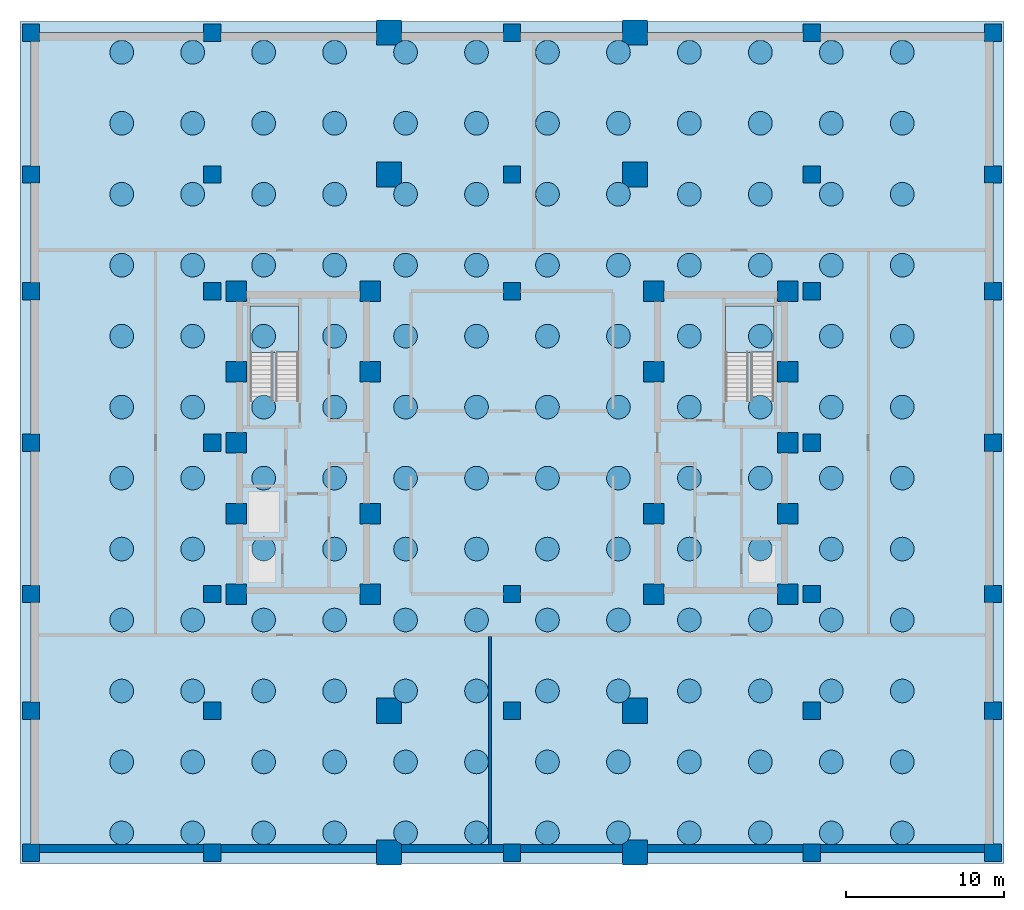
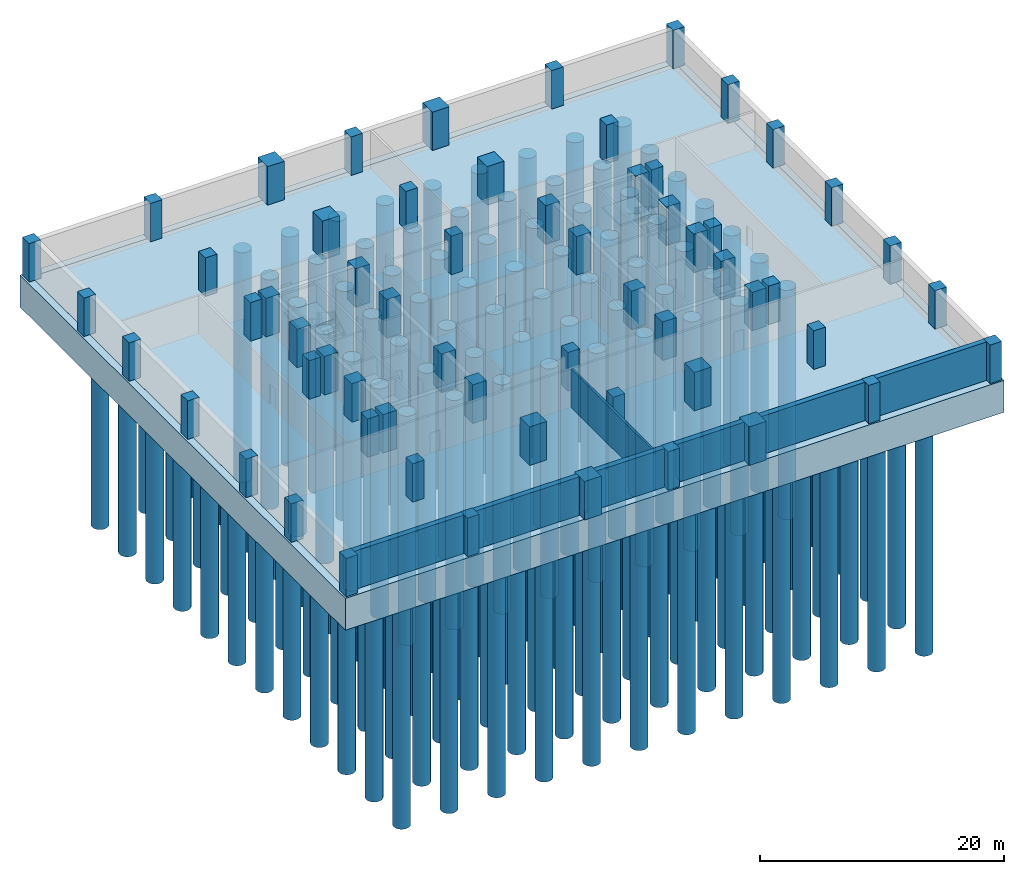
# One storey, part 1 of 6: 144 piles, 60 columns, 3 slabs, 2 walls, 1 footing, 2 elements without a shape of their own.
"""IFC4 building model written with IfcOpenShell, lengths in metres."""

from ifc_helpers import new_model, si_unit, direction, frame, frame_2d, origin, origin_2d, place, context, subcontext, project, spatial, polyline, rectangle, circle, outline, extrude, source, transform, mapped, material, layer, layer_set, material_profile, profile_set, type_object, type_shapes, element, aggregate, save


model = new_model("IFC4")

# Units and contexts
model_context = context("Model", 3, precision=1e-05, world=origin(), true_north=direction((0.0, 1.0)))
body_context = subcontext(model_context, "Body", "Model", "MODEL_VIEW")
ifc_project = project(units=[si_unit("LENGTHUNIT", "METRE"), si_unit("AREAUNIT", "SQUARE_METRE"), si_unit("VOLUMEUNIT", "CUBIC_METRE"), si_unit("PLANEANGLEUNIT", "RADIAN"), si_unit("MASSUNIT", "GRAM", prefix="KILO")], contexts=[model_context])

# Site, building, storey
site_placement = place(None, origin())
site = spatial("IfcSite", under=ifc_project, at=site_placement, CompositionType="ELEMENT")
building_placement = place(site_placement, origin())
building = spatial("IfcBuilding", under=site, at=building_placement, Name="Nuvemarco Arch Tower", CompositionType="ELEMENT")
storey_placement = place(building_placement, frame((0.0, 0.0, -8.39990234375)))
storey = spatial("IfcBuildingStorey", under=building, at=storey_placement, Name="B02", CompositionType="ELEMENT", Elevation=-8.39990234375)

# Piles
ifc_material_1 = material(Name="Concrete C50/60", Category="concrete")
ifc_material_profile_1 = material_profile(ifc_material_1, circle(Radius=0.75, at=origin_2d()), Name="PILE-D1500")
ifc_profile_set_1 = profile_set([ifc_material_profile_1], Name="Concrete C50/60")
pile_type = type_object("IfcPileType", Name="PL-BORED-1500", PredefinedType="BORED", material=ifc_profile_set_1)
for number, where, z_axis, x_axis, name in (
    (1, (-24.75, -24.75, -3.050048828125), (0.0, 0.0, -1.0), (1.0, 0.0, 0.0), "Bored pile P-1 #001"),
    (2, (-24.75, -20.25, -3.050048828125), (0.0, 0.0, -1.0), (1.0, 0.0, 0.0), "Bored pile P-1 #002"),
    (3, (-24.75, -15.75, -3.050048828125), (0.0, 0.0, -1.0), (1.0, 0.0, 0.0), "Bored pile P-1 #003"),
    (4, (-24.75, -11.25, -3.050048828125), (0.0, 0.0, -1.0), (1.0, 0.0, 0.0), "Bored pile P-1 #004"),
    (5, (-24.75, -6.75, -3.050048828125), (0.0, 0.0, -1.0), (1.0, 0.0, 0.0), "Bored pile P-1 #005"),
    (6, (-24.75, -2.25, -3.050048828125), (0.0, 0.0, -1.0), (1.0, 0.0, 0.0), "Bored pile P-1 #006"),
    (7, (-24.75, 2.25, -3.050048828125), (0.0, 0.0, -1.0), (1.0, 0.0, 0.0), "Bored pile P-1 #007"),
    (8, (-24.75, 6.75, -3.050048828125), (0.0, 0.0, -1.0), (1.0, 0.0, 0.0), "Bored pile P-1 #008"),
    (9, (-24.75, 11.25, -3.050048828125), (0.0, 0.0, -1.0), (1.0, 0.0, 0.0), "Bored pile P-1 #009"),
    (10, (-24.75, 15.75, -3.050048828125), (0.0, 0.0, -1.0), (1.0, 0.0, 0.0), "Bored pile P-1 #010"),
    (11, (-24.75, 20.25, -3.050048828125), (0.0, 0.0, -1.0), (1.0, 0.0, 0.0), "Bored pile P-1 #011"),
    (12, (-24.75, 24.75, -3.050048828125), (0.0, 0.0, -1.0), (1.0, 0.0, 0.0), "Bored pile P-1 #012"),
    (13, (-20.25, -24.75, -3.050048828125), (0.0, 0.0, -1.0), (1.0, 0.0, 0.0), "Bored pile P-1 #013"),
    (14, (-20.25, -20.25, -3.050048828125), (0.0, 0.0, -1.0), (1.0, 0.0, 0.0), "Bored pile P-1 #014"),
    (15, (-20.25, -15.75, -3.050048828125), (0.0, 0.0, -1.0), (1.0, 0.0, 0.0), "Bored pile P-1 #015"),
    (16, (-20.25, -11.25, -3.050048828125), (0.0, 0.0, -1.0), (1.0, 0.0, 0.0), "Bored pile P-1 #016"),
    (17, (-20.25, -6.75, -3.050048828125), (0.0, 0.0, -1.0), (1.0, 0.0, 0.0), "Bored pile P-1 #017"),
    (18, (-20.25, -2.25, -3.050048828125), (0.0, 0.0, -1.0), (1.0, 0.0, 0.0), "Bored pile P-1 #018"),
    (19, (-20.25, 2.25, -3.050048828125), (0.0, 0.0, -1.0), (1.0, 0.0, 0.0), "Bored pile P-1 #019"),
    (20, (-20.25, 6.75, -3.050048828125), (0.0, 0.0, -1.0), (1.0, 0.0, 0.0), "Bored pile P-1 #020"),
    (21, (-20.25, 11.25, -3.050048828125), (0.0, 0.0, -1.0), (1.0, 0.0, 0.0), "Bored pile P-1 #021"),
    (22, (-20.25, 15.75, -3.050048828125), (0.0, 0.0, -1.0), (1.0, 0.0, 0.0), "Bored pile P-1 #022"),
    (23, (-20.25, 20.25, -3.050048828125), (0.0, 0.0, -1.0), (1.0, 0.0, 0.0), "Bored pile P-1 #023"),
    (24, (-20.25, 24.75, -3.050048828125), (0.0, 0.0, -1.0), (1.0, 0.0, 0.0), "Bored pile P-1 #024"),
    (25, (-15.75, -24.75, -3.050048828125), (0.0, 0.0, -1.0), (1.0, 0.0, 0.0), "Bored pile P-1 #025"),
    (26, (-15.75, -20.25, -3.050048828125), (0.0, 0.0, -1.0), (1.0, 0.0, 0.0), "Bored pile P-1 #026"),
    (27, (-15.75, -15.75, -3.050048828125), (0.0, 0.0, -1.0), (1.0, 0.0, 0.0), "Bored pile P-1 #027"),
    (28, (-15.75, -11.25, -3.050048828125), (0.0, 0.0, -1.0), (1.0, 0.0, 0.0), "Bored pile P-1 #028"),
    (29, (-15.75, -6.75, -3.050048828125), (0.0, 0.0, -1.0), (1.0, 0.0, 0.0), "Bored pile P-1 #029"),
    (30, (-15.75, -2.25, -3.050048828125), (0.0, 0.0, -1.0), (1.0, 0.0, 0.0), "Bored pile P-1 #030"),
    (31, (-15.75, 2.25, -3.050048828125), (0.0, 0.0, -1.0), (1.0, 0.0, 0.0), "Bored pile P-1 #031"),
    (32, (-15.75, 6.75, -3.050048828125), (0.0, 0.0, -1.0), (1.0, 0.0, 0.0), "Bored pile P-1 #032"),
    (33, (-15.75, 11.25, -3.050048828125), (0.0, 0.0, -1.0), (1.0, 0.0, 0.0), "Bored pile P-1 #033"),
    (34, (-15.75, 15.75, -3.050048828125), (0.0, 0.0, -1.0), (1.0, 0.0, 0.0), "Bored pile P-1 #034"),
    (35, (-15.75, 20.25, -3.050048828125), (0.0, 0.0, -1.0), (1.0, 0.0, 0.0), "Bored pile P-1 #035"),
    (36, (-15.75, 24.75, -3.050048828125), (0.0, 0.0, -1.0), (1.0, 0.0, 0.0), "Bored pile P-1 #036"),
    (37, (-11.25, -24.75, -3.050048828125), (0.0, 0.0, -1.0), (1.0, 0.0, 0.0), "Bored pile P-1 #037"),
    (38, (-11.25, -20.25, -3.050048828125), (0.0, 0.0, -1.0), (1.0, 0.0, 0.0), "Bored pile P-1 #038"),
    (39, (-11.25, -15.75, -3.050048828125), (0.0, 0.0, -1.0), (1.0, 0.0, 0.0), "Bored pile P-1 #039"),
    (40, (-11.25, -11.25, -3.050048828125), (0.0, 0.0, -1.0), (1.0, 0.0, 0.0), "Bored pile P-1 #040"),
    (41, (-11.25, -6.75, -3.050048828125), (0.0, 0.0, -1.0), (1.0, 0.0, 0.0), "Bored pile P-1 #041"),
    (42, (-11.25, -2.25, -3.050048828125), (0.0, 0.0, -1.0), (1.0, 0.0, 0.0), "Bored pile P-1 #042"),
    (43, (-11.25, 2.25, -3.050048828125), (0.0, 0.0, -1.0), (1.0, 0.0, 0.0), "Bored pile P-1 #043"),
    (44, (-11.25, 6.75, -3.050048828125), (0.0, 0.0, -1.0), (1.0, 0.0, 0.0), "Bored pile P-1 #044"),
    (45, (-11.25, 11.25, -3.050048828125), (0.0, 0.0, -1.0), (1.0, 0.0, 0.0), "Bored pile P-1 #045"),
    (46, (-11.25, 15.75, -3.050048828125), (0.0, 0.0, -1.0), (1.0, 0.0, 0.0), "Bored pile P-1 #046"),
    (47, (-11.25, 20.25, -3.050048828125), (0.0, 0.0, -1.0), (1.0, 0.0, 0.0), "Bored pile P-1 #047"),
    (48, (-11.25, 24.75, -3.050048828125), (0.0, 0.0, -1.0), (1.0, 0.0, 0.0), "Bored pile P-1 #048"),
    (49, (-6.75, -24.75, -3.050048828125), (0.0, 0.0, -1.0), (1.0, 0.0, 0.0), "Bored pile P-1 #049"),
    (50, (-6.75, -20.25, -3.050048828125), (0.0, 0.0, -1.0), (1.0, 0.0, 0.0), "Bored pile P-1 #050"),
    (51, (-6.75, -15.75, -3.050048828125), (0.0, 0.0, -1.0), (1.0, 0.0, 0.0), "Bored pile P-1 #051"),
    (52, (-6.75, -11.25, -3.050048828125), (0.0, 0.0, -1.0), (1.0, 0.0, 0.0), "Bored pile P-1 #052"),
    (53, (-6.75, -6.75, -3.050048828125), (0.0, 0.0, -1.0), (1.0, 0.0, 0.0), "Bored pile P-1 #053"),
    (54, (-6.75, -2.25, -3.050048828125), (0.0, 0.0, -1.0), (1.0, 0.0, 0.0), "Bored pile P-1 #054"),
    (55, (-6.75, 2.25, -3.050048828125), (0.0, 0.0, -1.0), (1.0, 0.0, 0.0), "Bored pile P-1 #055"),
    (56, (-6.75, 6.75, -3.050048828125), (0.0, 0.0, -1.0), (1.0, 0.0, 0.0), "Bored pile P-1 #056"),
    (57, (-6.75, 11.25, -3.050048828125), (0.0, 0.0, -1.0), (1.0, 0.0, 0.0), "Bored pile P-1 #057"),
    (58, (-6.75, 15.75, -3.050048828125), (0.0, 0.0, -1.0), (1.0, 0.0, 0.0), "Bored pile P-1 #058"),
    (59, (-6.75, 20.25, -3.050048828125), (0.0, 0.0, -1.0), (1.0, 0.0, 0.0), "Bored pile P-1 #059"),
    (60, (-6.75, 24.75, -3.050048828125), (0.0, 0.0, -1.0), (1.0, 0.0, 0.0), "Bored pile P-1 #060"),
    (61, (-2.25, -24.75, -3.050048828125), (0.0, 0.0, -1.0), (1.0, 0.0, 0.0), "Bored pile P-1 #061"),
    (62, (-2.25, -20.25, -3.050048828125), (0.0, 0.0, -1.0), (1.0, 0.0, 0.0), "Bored pile P-1 #062"),
    (63, (-2.25, -15.75, -3.050048828125), (0.0, 0.0, -1.0), (1.0, 0.0, 0.0), "Bored pile P-1 #063"),
    (64, (-2.25, -11.25, -3.050048828125), (0.0, 0.0, -1.0), (1.0, 0.0, 0.0), "Bored pile P-1 #064"),
    (65, (-2.25, -6.75, -3.050048828125), (0.0, 0.0, -1.0), (1.0, 0.0, 0.0), "Bored pile P-1 #065"),
    (66, (-2.25, -2.25, -3.050048828125), (0.0, 0.0, -1.0), (1.0, 0.0, 0.0), "Bored pile P-1 #066"),
    (67, (-2.25, 2.25, -3.050048828125), (0.0, 0.0, -1.0), (1.0, 0.0, 0.0), "Bored pile P-1 #067"),
    (68, (-2.25, 6.75, -3.050048828125), (0.0, 0.0, -1.0), (1.0, 0.0, 0.0), "Bored pile P-1 #068"),
    (69, (-2.25, 11.25, -3.050048828125), (0.0, 0.0, -1.0), (1.0, 0.0, 0.0), "Bored pile P-1 #069"),
    (70, (-2.25, 15.75, -3.050048828125), (0.0, 0.0, -1.0), (1.0, 0.0, 0.0), "Bored pile P-1 #070"),
    (71, (-2.25, 20.25, -3.050048828125), (0.0, 0.0, -1.0), (1.0, 0.0, 0.0), "Bored pile P-1 #071"),
    (72, (-2.25, 24.75, -3.050048828125), (0.0, 0.0, -1.0), (1.0, 0.0, 0.0), "Bored pile P-1 #072"),
    (73, (2.25, -24.75, -3.050048828125), (0.0, 0.0, -1.0), (1.0, 0.0, 0.0), "Bored pile P-1 #073"),
    (74, (2.25, -20.25, -3.050048828125), (0.0, 0.0, -1.0), (1.0, 0.0, 0.0), "Bored pile P-1 #074"),
    (75, (2.25, -15.75, -3.050048828125), (0.0, 0.0, -1.0), (1.0, 0.0, 0.0), "Bored pile P-1 #075"),
    (76, (2.25, -11.25, -3.050048828125), (0.0, 0.0, -1.0), (1.0, 0.0, 0.0), "Bored pile P-1 #076"),
    (77, (2.25, -6.75, -3.050048828125), (0.0, 0.0, -1.0), (1.0, 0.0, 0.0), "Bored pile P-1 #077"),
    (78, (2.25, -2.25, -3.050048828125), (0.0, 0.0, -1.0), (1.0, 0.0, 0.0), "Bored pile P-1 #078"),
    (79, (2.25, 2.25, -3.050048828125), (0.0, 0.0, -1.0), (1.0, 0.0, 0.0), "Bored pile P-1 #079"),
    (80, (2.25, 6.75, -3.050048828125), (0.0, 0.0, -1.0), (1.0, 0.0, 0.0), "Bored pile P-1 #080"),
    (81, (2.25, 11.25, -3.050048828125), (0.0, 0.0, -1.0), (1.0, 0.0, 0.0), "Bored pile P-1 #081"),
    (82, (2.25, 15.75, -3.050048828125), (0.0, 0.0, -1.0), (1.0, 0.0, 0.0), "Bored pile P-1 #082"),
    (83, (2.25, 20.25, -3.050048828125), (0.0, 0.0, -1.0), (1.0, 0.0, 0.0), "Bored pile P-1 #083"),
    (84, (2.25, 24.75, -3.050048828125), (0.0, 0.0, -1.0), (1.0, 0.0, 0.0), "Bored pile P-1 #084"),
    (85, (6.75, -24.75, -3.050048828125), (0.0, 0.0, -1.0), (1.0, 0.0, 0.0), "Bored pile P-1 #085"),
    (86, (6.75, -20.25, -3.050048828125), (0.0, 0.0, -1.0), (1.0, 0.0, 0.0), "Bored pile P-1 #086"),
    (87, (6.75, -15.75, -3.050048828125), (0.0, 0.0, -1.0), (1.0, 0.0, 0.0), "Bored pile P-1 #087"),
    (88, (6.75, -11.25, -3.050048828125), (0.0, 0.0, -1.0), (1.0, 0.0, 0.0), "Bored pile P-1 #088"),
    (89, (6.75, -6.75, -3.050048828125), (0.0, 0.0, -1.0), (1.0, 0.0, 0.0), "Bored pile P-1 #089"),
    (90, (6.75, -2.25, -3.050048828125), (0.0, 0.0, -1.0), (1.0, 0.0, 0.0), "Bored pile P-1 #090"),
    (91, (6.75, 2.25, -3.050048828125), (0.0, 0.0, -1.0), (1.0, 0.0, 0.0), "Bored pile P-1 #091"),
    (92, (6.75, 6.75, -3.050048828125), (0.0, 0.0, -1.0), (1.0, 0.0, 0.0), "Bored pile P-1 #092"),
    (93, (6.75, 11.25, -3.050048828125), (0.0, 0.0, -1.0), (1.0, 0.0, 0.0), "Bored pile P-1 #093"),
    (94, (6.75, 15.75, -3.050048828125), (0.0, 0.0, -1.0), (1.0, 0.0, 0.0), "Bored pile P-1 #094"),
    (95, (6.75, 20.25, -3.050048828125), (0.0, 0.0, -1.0), (1.0, 0.0, 0.0), "Bored pile P-1 #095"),
    (96, (6.75, 24.75, -3.050048828125), (0.0, 0.0, -1.0), (1.0, 0.0, 0.0), "Bored pile P-1 #096"),
    (97, (11.25, -24.75, -3.050048828125), (0.0, 0.0, -1.0), (1.0, 0.0, 0.0), "Bored pile P-1 #097"),
    (98, (11.25, -20.25, -3.050048828125), (0.0, 0.0, -1.0), (1.0, 0.0, 0.0), "Bored pile P-1 #098"),
    (99, (11.25, -15.75, -3.050048828125), (0.0, 0.0, -1.0), (1.0, 0.0, 0.0), "Bored pile P-1 #099"),
    (100, (11.25, -11.25, -3.050048828125), (0.0, 0.0, -1.0), (1.0, 0.0, 0.0), "Bored pile P-1 #100"),
    (101, (11.25, -6.75, -3.050048828125), (0.0, 0.0, -1.0), (1.0, 0.0, 0.0), "Bored pile P-1 #101"),
    (102, (11.25, -2.25, -3.050048828125), (0.0, 0.0, -1.0), (1.0, 0.0, 0.0), "Bored pile P-1 #102"),
    (103, (11.25, 2.25, -3.050048828125), (0.0, 0.0, -1.0), (1.0, 0.0, 0.0), "Bored pile P-1 #103"),
    (104, (11.25, 6.75, -3.050048828125), (0.0, 0.0, -1.0), (1.0, 0.0, 0.0), "Bored pile P-1 #104"),
    (105, (11.25, 11.25, -3.050048828125), (0.0, 0.0, -1.0), (1.0, 0.0, 0.0), "Bored pile P-1 #105"),
    (106, (11.25, 15.75, -3.050048828125), (0.0, 0.0, -1.0), (1.0, 0.0, 0.0), "Bored pile P-1 #106"),
    (107, (11.25, 20.25, -3.050048828125), (0.0, 0.0, -1.0), (1.0, 0.0, 0.0), "Bored pile P-1 #107"),
    (108, (11.25, 24.75, -3.050048828125), (0.0, 0.0, -1.0), (1.0, 0.0, 0.0), "Bored pile P-1 #108"),
    (109, (15.75, -24.75, -3.050048828125), (0.0, 0.0, -1.0), (1.0, 0.0, 0.0), "Bored pile P-1 #109"),
    (110, (15.75, -20.25, -3.050048828125), (0.0, 0.0, -1.0), (1.0, 0.0, 0.0), "Bored pile P-1 #110"),
    (111, (15.75, -15.75, -3.050048828125), (0.0, 0.0, -1.0), (1.0, 0.0, 0.0), "Bored pile P-1 #111"),
    (112, (15.75, -11.25, -3.050048828125), (0.0, 0.0, -1.0), (1.0, 0.0, 0.0), "Bored pile P-1 #112"),
    (113, (15.75, -6.75, -3.050048828125), (0.0, 0.0, -1.0), (1.0, 0.0, 0.0), "Bored pile P-1 #113"),
    (114, (15.75, -2.25, -3.050048828125), (0.0, 0.0, -1.0), (1.0, 0.0, 0.0), "Bored pile P-1 #114"),
    (115, (15.75, 2.25, -3.050048828125), (0.0, 0.0, -1.0), (1.0, 0.0, 0.0), "Bored pile P-1 #115"),
    (116, (15.75, 6.75, -3.050048828125), (0.0, 0.0, -1.0), (1.0, 0.0, 0.0), "Bored pile P-1 #116"),
    (117, (15.75, 11.25, -3.050048828125), (0.0, 0.0, -1.0), (1.0, 0.0, 0.0), "Bored pile P-1 #117"),
    (118, (15.75, 15.75, -3.050048828125), (0.0, 0.0, -1.0), (1.0, 0.0, 0.0), "Bored pile P-1 #118"),
    (119, (15.75, 20.25, -3.050048828125), (0.0, 0.0, -1.0), (1.0, 0.0, 0.0), "Bored pile P-1 #119"),
    (120, (15.75, 24.75, -3.050048828125), (0.0, 0.0, -1.0), (1.0, 0.0, 0.0), "Bored pile P-1 #120"),
    (121, (20.25, -24.75, -3.050048828125), (0.0, 0.0, -1.0), (1.0, 0.0, 0.0), "Bored pile P-1 #121"),
    (122, (20.25, -20.25, -3.050048828125), (0.0, 0.0, -1.0), (1.0, 0.0, 0.0), "Bored pile P-1 #122"),
    (123, (20.25, -15.75, -3.050048828125), (0.0, 0.0, -1.0), (1.0, 0.0, 0.0), "Bored pile P-1 #123"),
    (124, (20.25, -11.25, -3.050048828125), (0.0, 0.0, -1.0), (1.0, 0.0, 0.0), "Bored pile P-1 #124"),
    (125, (20.25, -6.75, -3.050048828125), (0.0, 0.0, -1.0), (1.0, 0.0, 0.0), "Bored pile P-1 #125"),
    (126, (20.25, -2.25, -3.050048828125), (0.0, 0.0, -1.0), (1.0, 0.0, 0.0), "Bored pile P-1 #126"),
    (127, (20.25, 2.25, -3.050048828125), (0.0, 0.0, -1.0), (1.0, 0.0, 0.0), "Bored pile P-1 #127"),
    (128, (20.25, 6.75, -3.050048828125), (0.0, 0.0, -1.0), (1.0, 0.0, 0.0), "Bored pile P-1 #128"),
    (129, (20.25, 11.25, -3.050048828125), (0.0, 0.0, -1.0), (1.0, 0.0, 0.0), "Bored pile P-1 #129"),
    (130, (20.25, 15.75, -3.050048828125), (0.0, 0.0, -1.0), (1.0, 0.0, 0.0), "Bored pile P-1 #130"),
    (131, (20.25, 20.25, -3.050048828125), (0.0, 0.0, -1.0), (1.0, 0.0, 0.0), "Bored pile P-1 #131"),
    (132, (20.25, 24.75, -3.050048828125), (0.0, 0.0, -1.0), (1.0, 0.0, 0.0), "Bored pile P-1 #132"),
    (133, (24.75, -24.75, -3.050048828125), (0.0, 0.0, -1.0), (1.0, 0.0, 0.0), "Bored pile P-1 #133"),
    (134, (24.75, -20.25, -3.050048828125), (0.0, 0.0, -1.0), (1.0, 0.0, 0.0), "Bored pile P-1 #134"),
    (135, (24.75, -15.75, -3.050048828125), (0.0, 0.0, -1.0), (1.0, 0.0, 0.0), "Bored pile P-1 #135"),
    (136, (24.75, -11.25, -3.050048828125), (0.0, 0.0, -1.0), (1.0, 0.0, 0.0), "Bored pile P-1 #136"),
    (137, (24.75, -6.75, -3.050048828125), (0.0, 0.0, -1.0), (1.0, 0.0, 0.0), "Bored pile P-1 #137"),
    (138, (24.75, -2.25, -3.050048828125), (0.0, 0.0, -1.0), (1.0, 0.0, 0.0), "Bored pile P-1 #138"),
    (139, (24.75, 2.25, -3.050048828125), (0.0, 0.0, -1.0), (1.0, 0.0, 0.0), "Bored pile P-1 #139"),
    (140, (24.75, 6.75, -3.050048828125), (0.0, 0.0, -1.0), (1.0, 0.0, 0.0), "Bored pile P-1 #140"),
    (141, (24.75, 11.25, -3.050048828125), (0.0, 0.0, -1.0), (1.0, 0.0, 0.0), "Bored pile P-1 #141"),
    (142, (24.75, 15.75, -3.050048828125), (0.0, 0.0, -1.0), (1.0, 0.0, 0.0), "Bored pile P-1 #142"),
    (143, (24.75, 20.25, -3.050048828125), (0.0, 0.0, -1.0), (1.0, 0.0, 0.0), "Bored pile P-1 #143"),
    (144, (24.75, 24.75, -3.050048828125), (0.0, 0.0, -1.0), (1.0, 0.0, 0.0), "Bored pile P-1 #144"),
):
    element("IfcPile", number, at=place(storey_placement, frame(where, z_axis=z_axis, x_axis=x_axis)), inside=storey, type_object=pile_type, Name=name, PredefinedType="BORED", context=body_context, shape_type="SweptSolid", body=[
        extrude(circle(Radius=0.75, at=origin_2d()), origin(), (0.0, 0.0, 1.0), 23.0),
    ])

# Footing
footing_type = type_object("IfcFootingType", Name="FT-RAFT-3200", PredefinedType="PAD_FOOTING", material=ifc_material_1)
shared_shape = source(origin(), body_context, "Body", "SweptSolid", [
    extrude(rectangle(XDim=62.39990234375, YDim=53.39990234375, at=origin_2d()), origin(), (0.0, 0.0, 1.0), 3.199951171875),
])
type_shapes(footing_type, [shared_shape])
footing_placement = place(storey_placement, frame((0.0, 0.0, -3.2001953125), z_axis=(0.0, 0.0, 1.0), x_axis=(1.0, 0.0, 0.0)))
element("IfcFooting", 145, at=footing_placement, inside=storey, type_object=footing_type, Name="Piled raft foundation RF-1", PredefinedType="PAD_FOOTING", context=body_context, shape_type="MappedRepresentation", body=[
    mapped(shared_shape, transform((0.0, 0.0, 0.0), scale=1.0)),
])

# Columns
ifc_material_2 = material(Name="Concrete C60/75", Category="concrete")
ifc_material_profile_2 = material_profile(ifc_material_2, rectangle(XDim=1.10009765625, YDim=1.10009765625, at=origin_2d()), Name="RC-COL-1100x1100")
ifc_profile_set_2 = profile_set([ifc_material_profile_2], Name="Concrete C60/75")
column_type_1 = type_object("IfcColumnType", Name="COL-CORE-1100", PredefinedType="COLUMN", material=ifc_profile_set_2)
for number, where, z_axis, x_axis, name in (
    (146, (-30.5, -26.0, 0.0), (0.0, 0.0, 1.0), (1.0, 0.0, 0.0), "B02 column CP_-30.5_-26.0"),
    (147, (-30.5, -17.0, 0.0), (0.0, 0.0, 1.0), (1.0, 0.0, 0.0), "B02 column CP_-30.5_-17.0"),
    (148, (-30.5, -9.60009765625, 0.0), (0.0, 0.0, 1.0), (1.0, 0.0, 0.0), "B02 column CP_-30.5_-9.6"),
    (149, (-30.5, 0.0, 0.0), (0.0, 0.0, 1.0), (1.0, 0.0, 0.0), "B02 column CP_-30.5_+0.0"),
    (150, (-30.5, 9.60009765625, 0.0), (0.0, 0.0, 1.0), (1.0, 0.0, 0.0), "B02 column CP_-30.5_+9.6"),
    (151, (-30.5, 17.0, 0.0), (0.0, 0.0, 1.0), (1.0, 0.0, 0.0), "B02 column CP_-30.5_+17.0"),
    (152, (-30.5, 26.0, 0.0), (0.0, 0.0, 1.0), (1.0, 0.0, 0.0), "B02 column CP_-30.5_+26.0"),
    (153, (-19.0, -26.0, 0.0), (0.0, 0.0, 1.0), (1.0, 0.0, 0.0), "B02 column CP_-19.0_-26.0"),
    (154, (-19.0, -17.0, 0.0), (0.0, 0.0, 1.0), (1.0, 0.0, 0.0), "B02 column CP_-19.0_-17.0"),
    (155, (-19.0, -9.60009765625, 0.0), (0.0, 0.0, 1.0), (1.0, 0.0, 0.0), "B02 column CP_-19.0_-9.6"),
    (156, (-19.0, 0.0, 0.0), (0.0, 0.0, 1.0), (1.0, 0.0, 0.0), "B02 column CP_-19.0_+0.0"),
    (157, (-19.0, 9.60009765625, 0.0), (0.0, 0.0, 1.0), (1.0, 0.0, 0.0), "B02 column CP_-19.0_+9.6"),
    (158, (-19.0, 17.0, 0.0), (0.0, 0.0, 1.0), (1.0, 0.0, 0.0), "B02 column CP_-19.0_+17.0"),
    (159, (-19.0, 26.0, 0.0), (0.0, 0.0, 1.0), (1.0, 0.0, 0.0), "B02 column CP_-19.0_+26.0"),
    (160, (19.0, -26.0, 0.0), (0.0, 0.0, 1.0), (1.0, 0.0, 0.0), "B02 column CP_+19.0_-26.0"),
    (161, (19.0, -17.0, 0.0), (0.0, 0.0, 1.0), (1.0, 0.0, 0.0), "B02 column CP_+19.0_-17.0"),
    (162, (19.0, -9.60009765625, 0.0), (0.0, 0.0, 1.0), (1.0, 0.0, 0.0), "B02 column CP_+19.0_-9.6"),
    (163, (19.0, 0.0, 0.0), (0.0, 0.0, 1.0), (1.0, 0.0, 0.0), "B02 column CP_+19.0_+0.0"),
    (164, (19.0, 9.60009765625, 0.0), (0.0, 0.0, 1.0), (1.0, 0.0, 0.0), "B02 column CP_+19.0_+9.6"),
    (165, (19.0, 17.0, 0.0), (0.0, 0.0, 1.0), (1.0, 0.0, 0.0), "B02 column CP_+19.0_+17.0"),
    (166, (19.0, 26.0, 0.0), (0.0, 0.0, 1.0), (1.0, 0.0, 0.0), "B02 column CP_+19.0_+26.0"),
    (167, (30.5, -26.0, 0.0), (0.0, 0.0, 1.0), (1.0, 0.0, 0.0), "B02 column CP_+30.5_-26.0"),
    (168, (30.5, -17.0, 0.0), (0.0, 0.0, 1.0), (1.0, 0.0, 0.0), "B02 column CP_+30.5_-17.0"),
    (169, (30.5, -9.60009765625, 0.0), (0.0, 0.0, 1.0), (1.0, 0.0, 0.0), "B02 column CP_+30.5_-9.6"),
    (170, (30.5, 0.0, 0.0), (0.0, 0.0, 1.0), (1.0, 0.0, 0.0), "B02 column CP_+30.5_+0.0"),
    (171, (30.5, 9.60009765625, 0.0), (0.0, 0.0, 1.0), (1.0, 0.0, 0.0), "B02 column CP_+30.5_+9.6"),
    (172, (30.5, 17.0, 0.0), (0.0, 0.0, 1.0), (1.0, 0.0, 0.0), "B02 column CP_+30.5_+17.0"),
    (173, (30.5, 26.0, 0.0), (0.0, 0.0, 1.0), (1.0, 0.0, 0.0), "B02 column CP_+30.5_+26.0"),
    (174, (0.0, -26.0, 0.0), (0.0, 0.0, 1.0), (1.0, 0.0, 0.0), "B02 column CB_0.0_-26.0"),
    (175, (0.0, -17.0, 0.0), (0.0, 0.0, 1.0), (1.0, 0.0, 0.0), "B02 column CB_0.0_-17.0"),
    (176, (0.0, -9.60009765625, 0.0), (0.0, 0.0, 1.0), (1.0, 0.0, 0.0), "B02 column CB_0.0_-9.6"),
    (177, (0.0, 9.60009765625, 0.0), (0.0, 0.0, 1.0), (1.0, 0.0, 0.0), "B02 column CB_0.0_+9.6"),
    (178, (0.0, 17.0, 0.0), (0.0, 0.0, 1.0), (1.0, 0.0, 0.0), "B02 column CB_0.0_+17.0"),
    (179, (0.0, 26.0, 0.0), (0.0, 0.0, 1.0), (1.0, 0.0, 0.0), "B02 column CB_0.0_+26.0"),
):
    element("IfcColumn", number, at=place(storey_placement, frame(where, z_axis=z_axis, x_axis=x_axis)), inside=storey, type_object=column_type_1, Name=name, PredefinedType="COLUMN", context=body_context, shape_type="SweptSolid", body=[
        extrude(rectangle(XDim=1.10009765625, YDim=1.10009765625, at=origin_2d()), origin(), (0.0, 0.0, 1.0), 3.849853515625),
    ])
ifc_material_profile_3 = material_profile(ifc_material_2, rectangle(XDim=1.300048828125, YDim=1.300048828125, at=origin_2d()), Name="RC-COL-1300x1300")
ifc_profile_set_3 = profile_set([ifc_material_profile_3], Name="Concrete C60/75")
column_type_2 = type_object("IfcColumnType", Name="COL-CORE-1300", PredefinedType="COLUMN", material=ifc_profile_set_3)
for number, where, z_axis, x_axis, name in (
    (180, (-17.5, -9.60009765625, 0.0), (0.0, 0.0, 1.0), (1.0, 0.0, 0.0), "B02 column CC_-17.5_-9.6"),
    (181, (-17.5, -4.5, 0.0), (0.0, 0.0, 1.0), (1.0, 0.0, 0.0), "B02 column CC_-17.5_-4.5"),
    (182, (-17.5, 4.5, 0.0), (0.0, 0.0, 1.0), (1.0, 0.0, 0.0), "B02 column CC_-17.5_+4.5"),
    (183, (-17.5, 9.60009765625, 0.0), (0.0, 0.0, 1.0), (1.0, 0.0, 0.0), "B02 column CC_-17.5_+9.6"),
    (184, (-9.0, -9.60009765625, 0.0), (0.0, 0.0, 1.0), (1.0, 0.0, 0.0), "B02 column CC_-9.0_-9.6"),
    (185, (-9.0, -4.5, 0.0), (0.0, 0.0, 1.0), (1.0, 0.0, 0.0), "B02 column CC_-9.0_-4.5"),
    (186, (-9.0, 4.5, 0.0), (0.0, 0.0, 1.0), (1.0, 0.0, 0.0), "B02 column CC_-9.0_+4.5"),
    (187, (-9.0, 9.60009765625, 0.0), (0.0, 0.0, 1.0), (1.0, 0.0, 0.0), "B02 column CC_-9.0_+9.6"),
    (188, (9.0, -9.60009765625, 0.0), (0.0, 0.0, 1.0), (1.0, 0.0, 0.0), "B02 column CC_+9.0_-9.6"),
    (189, (9.0, -4.5, 0.0), (0.0, 0.0, 1.0), (1.0, 0.0, 0.0), "B02 column CC_+9.0_-4.5"),
    (190, (9.0, 4.5, 0.0), (0.0, 0.0, 1.0), (1.0, 0.0, 0.0), "B02 column CC_+9.0_+4.5"),
    (191, (9.0, 9.60009765625, 0.0), (0.0, 0.0, 1.0), (1.0, 0.0, 0.0), "B02 column CC_+9.0_+9.6"),
    (192, (17.5, -9.60009765625, 0.0), (0.0, 0.0, 1.0), (1.0, 0.0, 0.0), "B02 column CC_+17.5_-9.6"),
    (193, (17.5, -4.5, 0.0), (0.0, 0.0, 1.0), (1.0, 0.0, 0.0), "B02 column CC_+17.5_-4.5"),
    (194, (17.5, 4.5, 0.0), (0.0, 0.0, 1.0), (1.0, 0.0, 0.0), "B02 column CC_+17.5_+4.5"),
    (195, (17.5, 9.60009765625, 0.0), (0.0, 0.0, 1.0), (1.0, 0.0, 0.0), "B02 column CC_+17.5_+9.6"),
    (196, (-17.5, 0.0, 0.0), (0.0, 0.0, 1.0), (1.0, 0.0, 0.0), "B02 column CC_-17.5_+0.0"),
    (197, (17.5, 0.0, 0.0), (0.0, 0.0, 1.0), (1.0, 0.0, 0.0), "B02 column CC_+17.5_+0.0"),
):
    element("IfcColumn", number, at=place(storey_placement, frame(where, z_axis=z_axis, x_axis=x_axis)), inside=storey, type_object=column_type_2, Name=name, PredefinedType="COLUMN", context=body_context, shape_type="SweptSolid", body=[
        extrude(rectangle(XDim=1.300048828125, YDim=1.300048828125, at=origin_2d()), origin(), (0.0, 0.0, 1.0), 3.849853515625),
    ])
ifc_material_profile_4 = material_profile(ifc_material_2, rectangle(XDim=1.60009765625, YDim=1.60009765625, at=origin_2d()), Name="RC-COL-1600x1600")
ifc_profile_set_4 = profile_set([ifc_material_profile_4], Name="Concrete C60/75")
column_type_3 = type_object("IfcColumnType", Name="COL-MEGA-1600", PredefinedType="COLUMN", material=ifc_profile_set_4)
for number, where, z_axis, x_axis, name in (
    (198, (-7.800048828125, -26.0, 0.0), (0.0, 0.0, 1.0), (1.0, 0.0, 0.0), "B02 column CM_-7.8_-26.0"),
    (199, (-7.800048828125, -17.0, 0.0), (0.0, 0.0, 1.0), (1.0, 0.0, 0.0), "B02 column CM_-7.8_-17.0"),
    (200, (-7.800048828125, 17.0, 0.0), (0.0, 0.0, 1.0), (1.0, 0.0, 0.0), "B02 column CM_-7.8_+17.0"),
    (201, (-7.800048828125, 26.0, 0.0), (0.0, 0.0, 1.0), (1.0, 0.0, 0.0), "B02 column CM_-7.8_+26.0"),
    (202, (7.800048828125, -26.0, 0.0), (0.0, 0.0, 1.0), (1.0, 0.0, 0.0), "B02 column CM_+7.8_-26.0"),
    (203, (7.800048828125, -17.0, 0.0), (0.0, 0.0, 1.0), (1.0, 0.0, 0.0), "B02 column CM_+7.8_-17.0"),
    (204, (7.800048828125, 17.0, 0.0), (0.0, 0.0, 1.0), (1.0, 0.0, 0.0), "B02 column CM_+7.8_+17.0"),
    (205, (7.800048828125, 26.0, 0.0), (0.0, 0.0, 1.0), (1.0, 0.0, 0.0), "B02 column CM_+7.8_+26.0"),
):
    element("IfcColumn", number, at=place(storey_placement, frame(where, z_axis=z_axis, x_axis=x_axis)), inside=storey, type_object=column_type_3, Name=name, PredefinedType="COLUMN", context=body_context, shape_type="SweptSolid", body=[
        extrude(rectangle(XDim=1.60009765625, YDim=1.60009765625, at=origin_2d()), origin(), (0.0, 0.0, 1.0), 3.849853515625),
    ])

# Slab
ifc_layer_1 = layer(ifc_material_1, 0.35009765625, Name="SL-BASE-350")
ifc_layer_set_1 = layer_set([ifc_layer_1], Name="Concrete C50/60")
slab_type_1 = type_object("IfcSlabType", Name="SL-BASE-350", PredefinedType="BASESLAB", material=ifc_layer_set_1)
slab_1_placement = place(storey_placement, frame((0.0, 0.0, -0.35009765625)))
element("IfcSlab", 206, at=slab_1_placement, inside=storey, type_object=slab_type_1, Name="B02 structural base slab", PredefinedType="BASESLAB", context=body_context, shape_type="SweptSolid", body=[
    extrude(outline(polyline([(-30.5, -26.0), (30.5, -26.0), (30.5, 26.0), (-30.5, 26.0), (-30.5, -26.0)])), origin(), (0.0, 0.0, 1.0), 0.35009765625),
])

# Stair, slab
ifc_material_3 = material(Name="Precast concrete C45/55", Category="concrete")
stair_type = type_object("IfcStairType", Name="ST-CORE-24R", PredefinedType="HALF_TURN_STAIR", material=ifc_material_3)
stair_1_placement = place(storey_placement, origin())
stair_1 = element("IfcStair", 207, at=stair_1_placement, inside=storey, type_object=stair_type, Name="B02 Protected Exit Stair ST-1", PredefinedType="HALF_TURN_STAIR")
ifc_layer_2 = layer(ifc_material_3, 0.199951171875, Name="SL-LANDING-200")
ifc_layer_set_2 = layer_set([ifc_layer_2], Name="Precast concrete C45/55")
slab_type_2 = type_object("IfcSlabType", Name="SL-LANDING-200", PredefinedType="LANDING", material=ifc_layer_set_2)
slab_2_placement = place(storey_placement, frame((0.0, 0.0, 1.89990234375)))
slab_2 = element("IfcSlab", 208, at=slab_2_placement, type_object=slab_type_2, Name="ST-24R landing 1", PredefinedType="LANDING", context=body_context, shape_type="SweptSolid", body=[
    extrude(outline(polyline([(-13.5400390625, 5.74951171875), (-13.5400390625, 8.64990234375), (-16.60009765625, 8.64990234375), (-16.60009765625, 5.72998046875), (-15.070068359375, 5.72998046875), (-15.070068359375, 5.74951171875), (-13.5400390625, 5.74951171875)])), origin(), (0.0, 0.0, 1.0), 0.199951171875),
])
aggregate(stair_1, [slab_2])

stair_2_placement = place(storey_placement, origin())
stair_2 = element("IfcStair", 209, at=stair_2_placement, inside=storey, type_object=stair_type, Name="B02 Protected Exit Stair ST-2", PredefinedType="HALF_TURN_STAIR")
slab_3_placement = place(storey_placement, frame((0.0, 0.0, 1.89990234375)))
slab_3 = element("IfcSlab", 210, at=slab_3_placement, type_object=slab_type_2, Name="ST-24R landing 1", PredefinedType="LANDING", context=body_context, shape_type="SweptSolid", body=[
    extrude(outline(polyline([(16.60009765625, 5.74951171875), (16.60009765625, 8.64990234375), (13.5400390625, 8.64990234375), (13.5400390625, 5.72998046875), (15.070068359375, 5.72998046875), (15.070068359375, 5.74951171875), (16.60009765625, 5.74951171875)])), origin(), (0.0, 0.0, 1.0), 0.199951171875),
])
aggregate(stair_2, [slab_3])

# Walls
ifc_layer_3 = layer(ifc_material_3, 0.199951171875, Name="WL-PLANT-200")
ifc_layer_set_3 = layer_set([ifc_layer_3], Name="Precast concrete C45/55")
wall_type_1 = type_object("IfcWallType", Name="WL-PLANT-200", PredefinedType="STANDARD", material=ifc_layer_set_3)
wall_1_placement = place(storey_placement, frame((-1.39990234375, -25.5, 0.0), z_axis=(0.0, 0.0, 1.0), x_axis=(0.0, 1.0, 0.0)))
element("IfcWall", 211, at=wall_1_placement, inside=storey, type_object=wall_type_1, Name="B02 interior wall IW-B02-012", PredefinedType="STANDARD", context=body_context, shape_type="SweptSolid", body=[
    extrude(rectangle(XDim=13.2041015625, YDim=0.199951171875, at=frame_2d((6.60205078125, 0.0))), origin(), (0.0, 0.0, 1.0), 3.83984375),
])
ifc_layer_4 = layer(ifc_material_1, 0.5, Name="WL-RET-500")
ifc_layer_set_4 = layer_set([ifc_layer_4], Name="Concrete C50/60")
wall_type_2 = type_object("IfcWallType", Name="WL-RET-500", PredefinedType="SOLIDWALL", material=ifc_layer_set_4)
wall_2_placement = place(storey_placement, frame((-30.5, -25.75, 0.0), z_axis=(0.0, 0.0, 1.0), x_axis=(1.0, 0.0, 0.0)))
element("IfcWall", 212, at=wall_2_placement, inside=storey, type_object=wall_type_2, Name="B02 perimeter retaining wall S", PredefinedType="SOLIDWALL", context=body_context, shape_type="SweptSolid", body=[
    extrude(rectangle(XDim=61.0, YDim=0.5, at=frame_2d((30.5, 0.0))), origin(), (0.0, 0.0, 1.0), 3.849853515625),
])

save(model, "model.ifc")
